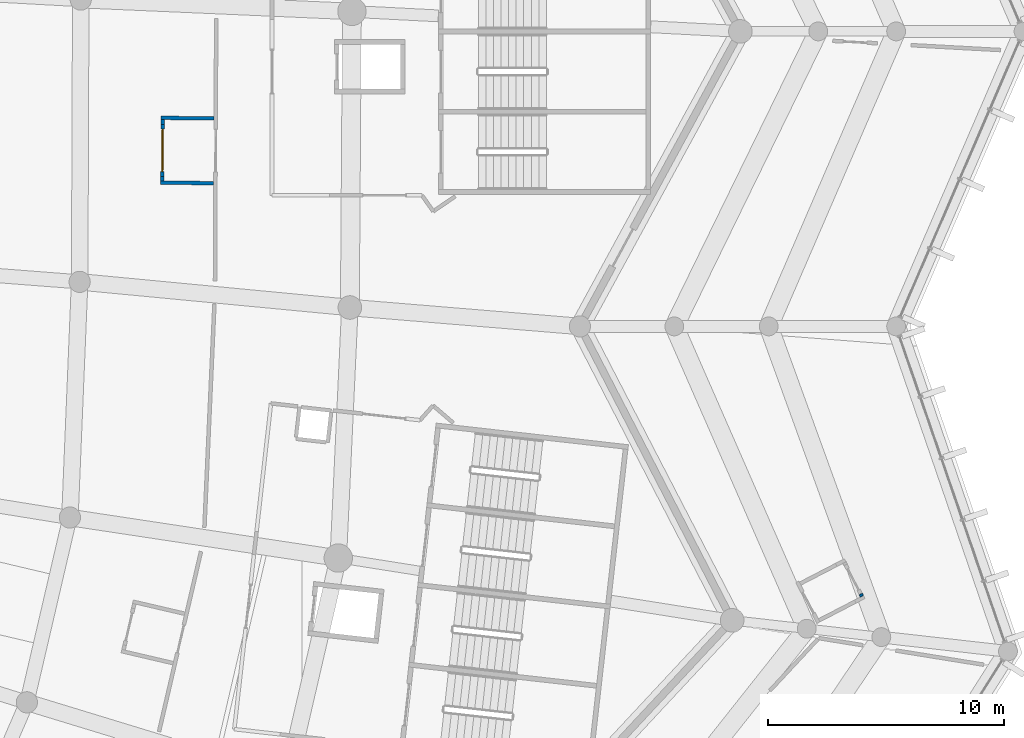
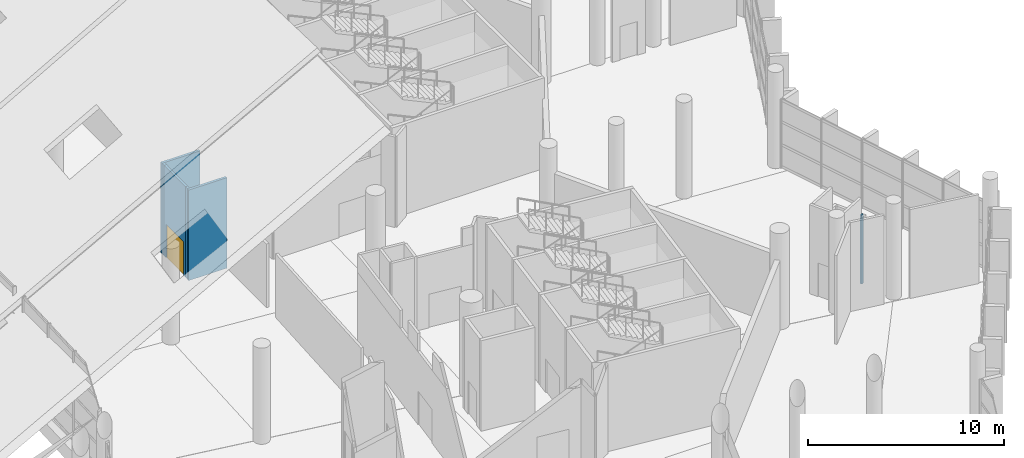
# One storey, part 154 of 249: 6 walls, 1 door, 1 opening.
"""IFC4 building model written with IfcOpenShell, lengths in metres."""

from ifc_helpers import new_model, si_unit, direction, frame, frame_2d, origin, place, context, subcontext, project, spatial, rectangle, extrude, material, layer, layer_set, type_object, element, fill, save


model = new_model("IFC4")

# Units and contexts
model_context = context("Model", 3, precision=1e-05, world=origin(), true_north=direction((0.0, 1.0)))
body_context = subcontext(model_context, "Body", "Model", "MODEL_VIEW")
ifc_project = project(units=[si_unit("LENGTHUNIT", "METRE"), si_unit("AREAUNIT", "SQUARE_METRE"), si_unit("VOLUMEUNIT", "CUBIC_METRE"), si_unit("PLANEANGLEUNIT", "RADIAN"), si_unit("MASSUNIT", "GRAM", prefix="KILO")], contexts=[model_context])

# Site, building, storey
site_placement = place(None, origin())
site = spatial("IfcSite", under=ifc_project, at=site_placement, CompositionType="ELEMENT")
building_placement = place(site_placement, origin())
building = spatial("IfcBuilding", under=site, at=building_placement, Name="Meseta Stadium", CompositionType="ELEMENT")
storey_placement = place(building_placement, frame((0.0, 0.0, 12.0)))
storey = spatial("IfcBuildingStorey", under=building, at=storey_placement, Name="L02", CompositionType="ELEMENT", Elevation=12.0)

# Walls
ifc_material_1 = material(Name="Masonry blockwork", Category="masonry")
ifc_layer = layer(ifc_material_1, 0.14990234375)
ifc_layer_set = layer_set([ifc_layer], Name="Partition 150")
wall_type = type_object("IfcWallType", Name="Partition 150", PredefinedType="PARTITIONING", material=ifc_layer_set)
for number, where, z_axis, x_axis, name in (
    (1, (79.09619140625, -34.9267578125, 0.0), (0.0, 0.0, 1.0), (-0.999989615708, 0.004557244342, 0.0), "Partition L02 L02-cell00-0-0 vestibule"),
    (2, (79.083740234375, -37.6767578125, 0.0), (0.0, 0.0, 1.0), (-0.999989615708, 0.004557244342, 0.0), "Partition L02 L02-cell00-0-0 vestibule"),
):
    element("IfcWall", number, at=place(storey_placement, frame(where, z_axis=z_axis, x_axis=x_axis)), inside=storey, type_object=wall_type, Name=name, PredefinedType="PARTITIONING", context=body_context, shape_type="SweptSolid", body=[
        extrude(rectangle(XDim=2.25, YDim=0.14990234375, at=frame_2d((1.125, 0.0))), origin(), (0.0, 0.0, 1.0), 5.64990234375),
    ])
wall_1_placement = place(storey_placement, frame((76.9208984375, -34.991943359375, 0.0), z_axis=(0.0, 0.0, 1.0), x_axis=(-0.003662979089, -0.99999329127, 0.0)))
element("IfcWall", 3, at=wall_1_placement, inside=storey, type_object=wall_type, Name="Partition L02 L02-cell00-0-0 vestibule", PredefinedType="PARTITIONING", context=body_context, shape_type="SweptSolid", body=[
    extrude(rectangle(XDim=0.199951171875, YDim=0.14990234375, at=frame_2d((0.10009765625, 0.0))), origin(), (0.0, 0.0, 1.0), 5.64990234375),
])

# Wall, opening, door
wall_2_placement = place(storey_placement, frame((76.920166015625, -35.19189453125, 0.0), z_axis=(0.0, 0.0, 1.0), x_axis=(-0.004549947354, -0.999989648936, 0.0)))
wall_2 = element("IfcWall", 4, at=wall_2_placement, inside=storey, type_object=wall_type, Name="Partition L02 L02-cell00-0-0 vestibule", PredefinedType="PARTITIONING", context=body_context, shape_type="SweptSolid", body=[
    extrude(rectangle(XDim=2.199951171875, YDim=0.14990234375, at=frame_2d((1.10009765625, 0.0))), origin(), (0.0, 0.0, 1.0), 5.64990234375),
])
opening_placement = place(wall_2_placement, frame((0.199951171875, 0.0, 0.0)))
opening = element("IfcOpeningElement", 5, at=opening_placement, cuts=wall_2, Name="Opening D1195", PredefinedType="OPENING", context=body_context, shape_type="SweptSolid", body=[
    extrude(rectangle(XDim=1.800048828125, YDim=2.10009765625, at=frame_2d((0.89990234375, 1.050048828125))), frame((0.0, 0.0849609375, 0.0), z_axis=(0.0, -1.0, 0.0), x_axis=(1.0, 0.0, 0.0)), (0.0, 0.0, 1.0), 0.169921875),
])
ifc_material_2 = material(Name="Steel", Category="steel")
door_type = type_object("IfcDoorType", Name="Fire double door 1800x2100 EI2 60", OperationType="DOUBLE_DOOR_SINGLE_SWING", PredefinedType="DOOR", material=ifc_material_2)
door_placement = place(opening_placement, origin())
door = element("IfcDoor", 6, at=door_placement, inside=storey, type_object=door_type, Name="Vestibule door L02 L02-cell00-0-0", OperationType="DOUBLE_DOOR_SINGLE_SWING", OverallHeight=2.10009765625, OverallWidth=1.800048828125, PredefinedType="DOOR", context=body_context, shape_type="SweptSolid", body=[
    extrude(rectangle(XDim=1.800048828125, YDim=2.10009765625, at=frame_2d((0.89990234375, 1.050048828125))), frame((0.0, 0.02490234375, 0.0), z_axis=(0.0, -1.0, 0.0), x_axis=(1.0, 0.0, 0.0)), (0.0, 0.0, 1.0), 0.050048828125),
])
fill(opening, door)

# Walls
wall_3_placement = place(storey_placement, frame((76.91015625, -37.391845703125, 0.0), z_axis=(0.0, 0.0, 1.0), x_axis=(-0.004883946635, -0.999988073462, 0.0)))
element("IfcWall", 7, at=wall_3_placement, inside=storey, type_object=wall_type, Name="Partition L02 L02-cell00-0-0 vestibule", PredefinedType="PARTITIONING", context=body_context, shape_type="SweptSolid", body=[
    extrude(rectangle(XDim=0.199951171875, YDim=0.14990234375, at=frame_2d((0.10009765625, 0.0))), origin(), (0.0, 0.0, 1.0), 5.64990234375),
])
wall_4_placement = place(storey_placement, frame((106.54736328125, -55.180419921875, 0.0), z_axis=(0.0, 0.0, 1.0), x_axis=(-0.460815270647, 0.887496076802, 0.0)))
element("IfcWall", 8, at=wall_4_placement, inside=storey, type_object=wall_type, Name="Partition L02 L02-ring00-0 vestibule", PredefinedType="PARTITIONING", context=body_context, shape_type="SweptSolid", body=[
    extrude(rectangle(XDim=0.10009765625, YDim=0.14990234375, at=frame_2d((0.050048828125, 0.0))), origin(), (0.0, 0.0, 1.0), 4.300048828125),
])

save(model, "model.ifc")
